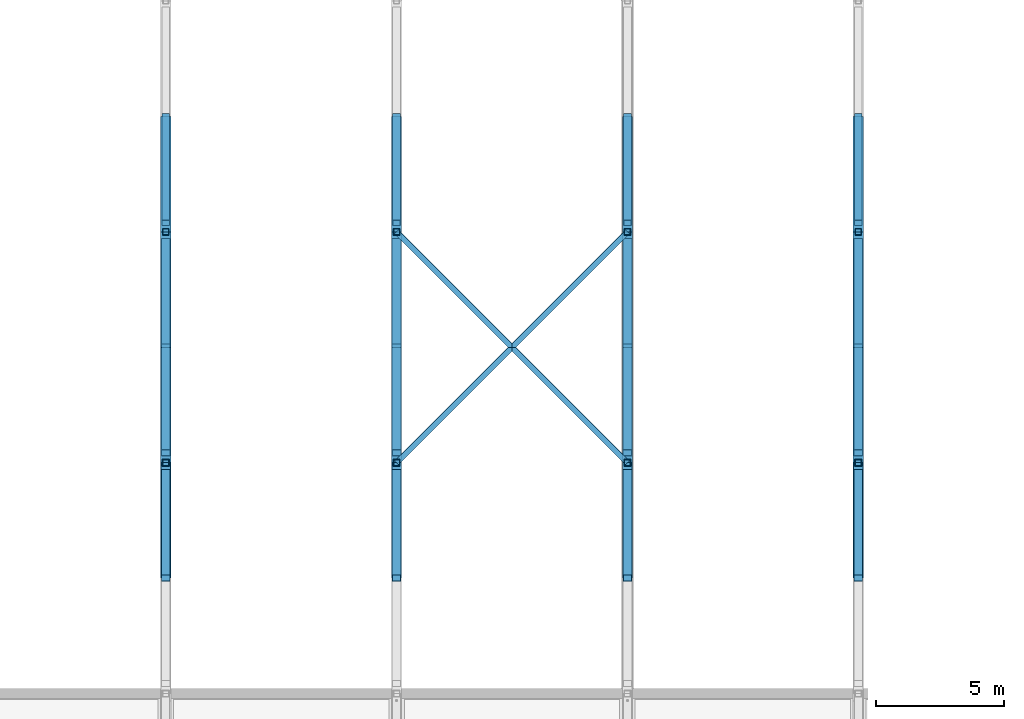
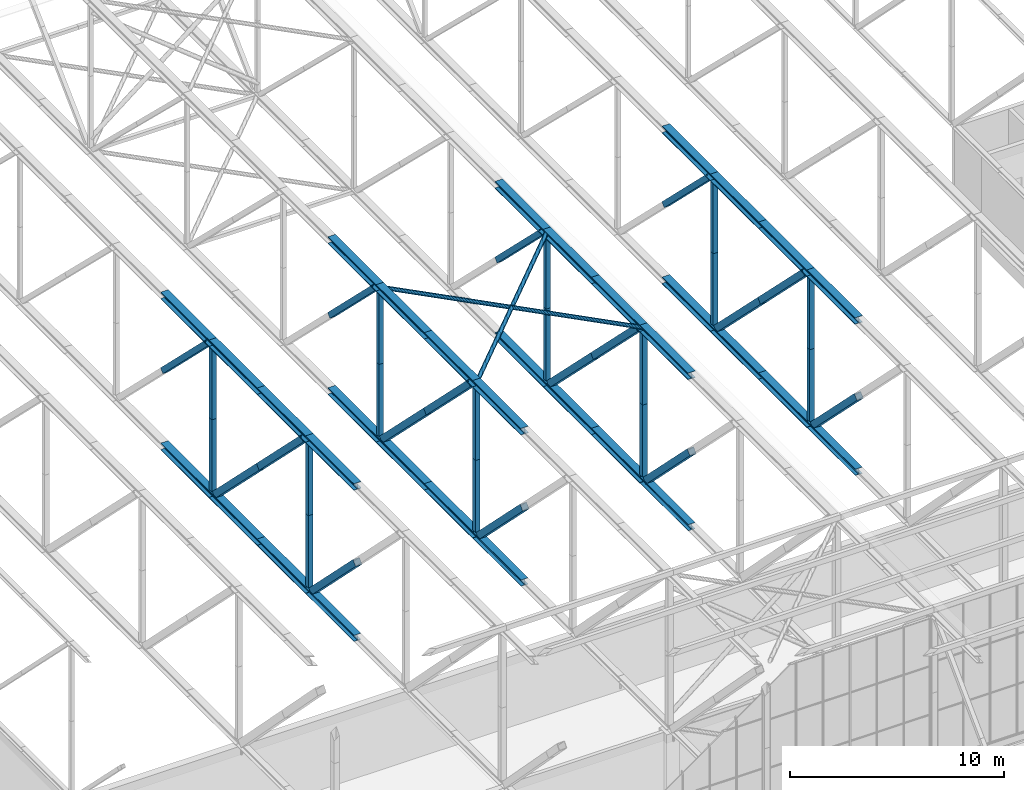
# One storey, part 43 of 646: 68 members.
"""IFC4 building model written with IfcOpenShell, lengths in metres."""

import ifcopenshell
import ifcopenshell.guid

model = None  # the IFC model being written
_history = None  # IfcOwnerHistory: only IFC2X3 demands one
_inside = {}  # id of a spatial element -> (the spatial element, [elements in it])
_under = {}  # id of a project, library or spatial element -> (it, [spatial elements below it])
_declared = {}  # id of a project -> (the project, [libraries it declares])
_typed = {}  # id of a type object -> (the type object, [elements of that type])
_made_of = {}  # id of a material, layer set ... -> (it, [elements and type objects made of it])


def new_model(schema):
    """Start an empty IFC model of exactly this schema.

    Asked for "IFC4X3", IfcOpenShell would pick the latest addendum, in which some entities
    have other attributes; the version numbers below select the first issue.
    IFC2X3 requires an IfcOwnerHistory on every rooted entity: one is made here for all.
    """
    global model, _history
    if schema == "IFC4X3":
        model = ifcopenshell.file(schema_version=(4, 3, 0, 0))
    else:
        model = ifcopenshell.file(schema=schema)
    _inside.clear()
    _under.clear()
    _declared.clear()
    _typed.clear()
    _made_of.clear()
    _history = None
    if model.schema == "IFC2X3":
        org = make("IfcOrganization", Name="unknown")
        user = make(
            "IfcPersonAndOrganization",
            ThePerson=make("IfcPerson", FamilyName="unknown"),
            TheOrganization=org,
        )
        app = make(
            "IfcApplication",
            ApplicationDeveloper=org,
            Version="unknown",
            ApplicationFullName="unknown",
            ApplicationIdentifier="unknown",
        )
        _history = make(
            "IfcOwnerHistory",
            OwningUser=user,
            OwningApplication=app,
            ChangeAction="ADDED",
            CreationDate=0,
        )
    return model


def make(cls, **values):
    """One entity of the class cls with the attributes given. An attribute that is None is left unset."""
    return model.create_entity(
        cls, **{name: value for name, value in values.items() if value is not None}
    )


def rooted(cls, **values):
    """An entity with a GlobalId (a new one), such as an element, a storey or a relation."""
    return make(cls, GlobalId=ifcopenshell.guid.new(), OwnerHistory=_history, **values)


def si_unit(unit_type, name, prefix=None):
    """IfcSIUnit, for example si_unit("LENGTHUNIT", "METRE", prefix="MILLI")."""
    return make("IfcSIUnit", UnitType=unit_type, Prefix=prefix, Name=name)


def assignment(units):
    """IfcUnitAssignment: the units of a project."""
    return None if units is None else make("IfcUnitAssignment", Units=units)


def point(xyz):
    """IfcCartesianPoint."""
    return None if xyz is None else make("IfcCartesianPoint", Coordinates=xyz)


def direction(xyz):
    """IfcDirection."""
    return None if xyz is None else make("IfcDirection", DirectionRatios=xyz)


def frame(location, z_axis=None, x_axis=None):
    """IfcAxis2Placement3D, a coordinate frame: its origin and axes. An axis left out is left unset."""
    return make(
        "IfcAxis2Placement3D",
        Location=point(location),
        Axis=direction(z_axis),
        RefDirection=direction(x_axis),
    )


def frame_2d(location, x_axis=None):
    """IfcAxis2Placement2D, a coordinate frame in the plane: its origin and x axis."""
    return make(
        "IfcAxis2Placement2D", Location=point(location), RefDirection=direction(x_axis)
    )


def origin():
    """The frame at (0, 0, 0) with its axes left unset."""
    return frame((0.0, 0.0, 0.0))


def origin_2d():
    """The frame at (0, 0) in the plane with its x axis left unset."""
    return frame_2d((0.0, 0.0))


def place(relative_to, where):
    """IfcLocalPlacement: puts the frame where relative to a parent placement (None: the world)."""
    return make(
        "IfcLocalPlacement", PlacementRelTo=relative_to, RelativePlacement=where
    )


def context(
    kind, dimensions, precision=None, world=None, true_north=None, identifier=None
):
    """IfcGeometricRepresentationContext, for example the 3D "Model" context."""
    return make(
        "IfcGeometricRepresentationContext",
        ContextIdentifier=identifier,
        ContextType=kind,
        CoordinateSpaceDimension=dimensions,
        Precision=precision,
        WorldCoordinateSystem=world,
        TrueNorth=true_north,
    )


def subcontext(parent, identifier, kind, view, scale=None):
    """IfcGeometricRepresentationSubContext, for example "Body" below "Model"."""
    return make(
        "IfcGeometricRepresentationSubContext",
        ContextIdentifier=identifier,
        ContextType=kind,
        ParentContext=parent,
        TargetScale=scale,
        TargetView=view,
    )


def project(units=None, contexts=None):
    """IfcProject with its units and contexts."""
    return rooted(
        "IfcProject",
        Name="project",
        RepresentationContexts=contexts,
        UnitsInContext=assignment(units),
    )


def spatial(cls, under=None, at=None, **own):
    """A site, building, storey or space (cls), placed at a placement, below another one or the project."""
    s = rooted(cls, ObjectPlacement=at, **own)
    if under is not None:
        _under.setdefault(under.id(), (under, []))[1].append(s)
    return s


def profile(cls, at=None, kind="AREA", **sizes):
    """A parametric profile (cls). Its sizes go by their IFC names, for example OverallWidth=200.0."""
    return make(cls, ProfileType=kind, Position=at, **sizes)


def hollow_rectangle(**sizes):
    """IfcRectangleHollowProfileDef."""
    return profile("IfcRectangleHollowProfileDef", **sizes)


def hollow_circle(**sizes):
    """IfcCircleHollowProfileDef."""
    return profile("IfcCircleHollowProfileDef", **sizes)


def i_section(**sizes):
    """IfcIShapeProfileDef."""
    return profile("IfcIShapeProfileDef", **sizes)


def extrude(swept, where, along, depth):
    """IfcExtrudedAreaSolid: the profile swept, set in the frame where, extruded along a direction by depth."""
    return make(
        "IfcExtrudedAreaSolid",
        SweptArea=swept,
        Position=where,
        ExtrudedDirection=direction(along),
        Depth=depth,
    )


def shape(context_of_items, identifier, shape_type, items):
    """IfcShapeRepresentation: the items that make up one representation, for example the "Body"."""
    return make(
        "IfcShapeRepresentation",
        ContextOfItems=context_of_items,
        RepresentationIdentifier=identifier,
        RepresentationType=shape_type,
        Items=items,
    )


def material(Name=None, Category=None):
    """IfcMaterial."""
    return make("IfcMaterial", Name=Name, Category=Category)


def material_profile(
    of_material, cross_section, Name=None, Category=None, Priority=None
):
    """IfcMaterialProfile: a cross section and its material."""
    return make(
        "IfcMaterialProfile",
        Name=Name,
        Material=of_material,
        Profile=cross_section,
        Priority=Priority,
        Category=Category,
    )


def profile_set(profiles, Name=None, composite=None):
    """IfcMaterialProfileSet."""
    return make(
        "IfcMaterialProfileSet",
        Name=Name,
        MaterialProfiles=profiles,
        CompositeProfile=composite,
    )


def made_of(thing, what):
    """Note that an element or type object is made of a material, layer set ...; save() writes the relation."""
    if what is not None:
        _made_of.setdefault(what.id(), (what, []))[1].append(thing)
    return thing


def type_object(cls, material=None, **own):
    """A type object (cls), such as IfcWallType, which elements share."""
    return made_of(rooted(cls, **own), material)


def element(
    cls,
    number,
    at=None,
    inside=None,
    cuts=None,
    type_object=None,
    material=None,
    context=None,
    identifier="Body",
    shape_type=None,
    held_by="IfcProductDefinitionShape",
    body=None,
    shapes=None,
    **own,
):
    """One element of the class cls, such as IfcWall. Its Tag is "e" and its number.

    at: its placement. inside: the storey or other place that contains it. cuts: it is an
    opening in that element (IfcRelVoidsElement). A single representation is given by context,
    identifier, shape_type and body (its items); several are given by shapes. held_by: the class
    of the entity that holds the representations. save() writes the other relations.
    """
    e = rooted(cls, Tag="e%d" % number, ObjectPlacement=at, **own)
    if body is not None:
        shapes = [shape(context, identifier, shape_type, body)]
    if shapes is not None:
        e.Representation = make(held_by, Representations=shapes)
    if inside is not None:
        _inside.setdefault(inside.id(), (inside, []))[1].append(e)
    if cuts is not None:
        rooted(
            "IfcRelVoidsElement", RelatingBuildingElement=cuts, RelatedOpeningElement=e
        )
    if type_object is not None:
        _typed.setdefault(type_object.id(), (type_object, []))[1].append(e)
    return made_of(e, material)


def aggregate(whole, parts):
    """IfcRelAggregates: a whole, such as a stair, and the parts it consists of."""
    return rooted("IfcRelAggregates", RelatingObject=whole, RelatedObjects=parts)


def save(model, path):
    """Write the relations noted so far, then the file.

    IfcRelAggregates (storeys below a building ...), IfcRelContainedInSpatialStructure (elements
    in a storey), IfcRelDefinesByType, IfcRelAssociatesMaterial and IfcRelDeclares: one each for
    every whole, place, type object, material and project.
    """
    for whole, parts in _under.values():
        aggregate(whole, parts)
    for where, things in _inside.values():
        rooted(
            "IfcRelContainedInSpatialStructure",
            RelatedElements=things,
            RelatingStructure=where,
        )
    for kind, things in _typed.values():
        rooted("IfcRelDefinesByType", RelatedObjects=things, RelatingType=kind)
    for what, things in _made_of.values():
        rooted("IfcRelAssociatesMaterial", RelatedObjects=things, RelatingMaterial=what)
    for by, libraries in _declared.values():
        rooted("IfcRelDeclares", RelatingContext=by, RelatedDefinitions=libraries)
    model.write(path)


model = new_model("IFC4")

# Units and contexts
model_context = context("Model", 3, precision=1e-05, world=origin(), true_north=direction((0.0, 1.0)))
body_context = subcontext(model_context, "Body", "Model", "MODEL_VIEW")
ifc_project = project(units=[si_unit("LENGTHUNIT", "METRE"), si_unit("AREAUNIT", "SQUARE_METRE"), si_unit("VOLUMEUNIT", "CUBIC_METRE"), si_unit("PLANEANGLEUNIT", "RADIAN"), si_unit("MASSUNIT", "GRAM", prefix="KILO")], contexts=[model_context])

# Site, building, storey
site_placement = place(None, origin())
site = spatial("IfcSite", under=ifc_project, at=site_placement, CompositionType="ELEMENT")
building_placement = place(site_placement, origin())
building = spatial("IfcBuilding", under=site, at=building_placement, Name="Silverbay Arena", CompositionType="ELEMENT")
storey_placement = place(building_placement, frame((0.0, 0.0, 33.5)))
storey = spatial("IfcBuildingStorey", under=building, at=storey_placement, Name="L05", CompositionType="ELEMENT", Elevation=33.5)

# Members
ifc_material_1 = material(Name="Steel S355", Category="steel")
ifc_material_profile_1 = material_profile(ifc_material_1, i_section(OverallWidth=0.37255859375, OverallDepth=0.3681640625, WebThickness=0.014404296875, FlangeThickness=0.023681640625, at=origin_2d()), Name="UC 356x368x177")
ifc_profile_set_1 = profile_set([ifc_material_profile_1], Name="Steel S355")
member_type_1 = type_object("IfcMemberType", Name="Main-span bottom chord UC 356x368x177", PredefinedType="CHORD", material=ifc_profile_set_1)
for number, where, z_axis, x_axis, name in (
    (1, (117.0, 40.5, 4.18408203125), (0.0, 1.0, 0.0), (-1.0, 0.0, 0.0), "ROOF TRUSS 14 bottom chord 04b"),
    (2, (126.0, 40.5, 4.18408203125), (0.0, 1.0, 0.0), (-1.0, 0.0, 0.0), "ROOF TRUSS 15 bottom chord 04b"),
    (3, (135.0, 40.5, 4.18408203125), (0.0, 1.0, 0.0), (-1.0, 0.0, 0.0), "ROOF TRUSS 16 bottom chord 04b"),
    (4, (144.0, 40.5, 4.18408203125), (0.0, 1.0, 0.0), (-1.0, 0.0, 0.0), "ROOF TRUSS 17 bottom chord 04b"),
):
    element("IfcMember", number, at=place(storey_placement, frame(where, z_axis=z_axis, x_axis=x_axis)), inside=storey, type_object=member_type_1, Name=name, PredefinedType="CHORD", context=body_context, shape_type="SweptSolid", body=[
        extrude(i_section(OverallWidth=0.37255859375, OverallDepth=0.3681640625, WebThickness=0.014404296875, FlangeThickness=0.023681640625, at=origin_2d()), origin(), (0.0, 0.0, 1.0), 4.5),
    ])
ifc_material_2 = material(Name="Steel S355", Category="steel")
ifc_material_profile_2 = material_profile(ifc_material_2, i_section(OverallWidth=0.403076171875, OverallDepth=0.406494140625, WebThickness=0.026611328125, FlangeThickness=0.04296875, at=origin_2d()), Name="UC 356x406x340")
ifc_profile_set_2 = profile_set([ifc_material_profile_2], Name="Steel S355")
member_type_2 = type_object("IfcMemberType", Name="Main-span bottom chord UC 356x406x340", PredefinedType="CHORD", material=ifc_profile_set_2)
for number, where, z_axis, x_axis, name in (
    (5, (117.0, 45.0, 4.203125), (0.0, 1.0, 0.0), (-1.0, 0.0, 0.0), "ROOF TRUSS 14 bottom chord 05a"),
    (6, (117.0, 49.5, 4.203125), (0.0, 1.0, 0.0), (-1.0, 0.0, 0.0), "ROOF TRUSS 14 bottom chord 05b"),
    (7, (117.0, 54.0, 4.203125), (0.0, 1.0, 0.0), (-1.0, 0.0, 0.0), "ROOF TRUSS 14 bottom chord 06a"),
    (8, (126.0, 45.0, 4.203125), (0.0, 1.0, 0.0), (-1.0, 0.0, 0.0), "ROOF TRUSS 15 bottom chord 05a"),
    (9, (126.0, 49.5, 4.203125), (0.0, 1.0, 0.0), (-1.0, 0.0, 0.0), "ROOF TRUSS 15 bottom chord 05b"),
    (10, (126.0, 54.0, 4.203125), (0.0, 1.0, 0.0), (-1.0, 0.0, 0.0), "ROOF TRUSS 15 bottom chord 06a"),
    (11, (135.0, 45.0, 4.203125), (0.0, 1.0, 0.0), (-1.0, 0.0, 0.0), "ROOF TRUSS 16 bottom chord 05a"),
    (12, (135.0, 49.5, 4.203125), (0.0, 1.0, 0.0), (-1.0, 0.0, 0.0), "ROOF TRUSS 16 bottom chord 05b"),
    (13, (135.0, 54.0, 4.203125), (0.0, 1.0, 0.0), (-1.0, 0.0, 0.0), "ROOF TRUSS 16 bottom chord 06a"),
    (14, (144.0, 45.0, 4.203125), (0.0, 1.0, 0.0), (-1.0, 0.0, 0.0), "ROOF TRUSS 17 bottom chord 05a"),
    (15, (144.0, 49.5, 4.203125), (0.0, 1.0, 0.0), (-1.0, 0.0, 0.0), "ROOF TRUSS 17 bottom chord 05b"),
    (16, (144.0, 54.0, 4.203125), (0.0, 1.0, 0.0), (-1.0, 0.0, 0.0), "ROOF TRUSS 17 bottom chord 06a"),
):
    element("IfcMember", number, at=place(storey_placement, frame(where, z_axis=z_axis, x_axis=x_axis)), inside=storey, type_object=member_type_2, Name=name, PredefinedType="CHORD", context=body_context, shape_type="SweptSolid", body=[
        extrude(i_section(OverallWidth=0.403076171875, OverallDepth=0.406494140625, WebThickness=0.026611328125, FlangeThickness=0.04296875, at=origin_2d()), origin(), (0.0, 0.0, 1.0), 4.5),
    ])
ifc_material_3 = material(Name="Steel S355", Category="steel")
ifc_material_profile_3 = material_profile(ifc_material_3, i_section(OverallWidth=0.39892578125, OverallDepth=0.3935546875, WebThickness=0.022705078125, FlangeThickness=0.03662109375, at=origin_2d()), Name="UC 356x406x287")
ifc_profile_set_3 = profile_set([ifc_material_profile_3], Name="Steel S355")
member_type_3 = type_object("IfcMemberType", Name="Main-span top chord UC 356x406x287", PredefinedType="CHORD", material=ifc_profile_set_3)
for number, where, z_axis, x_axis, name in (
    (17, (117.0, 40.5, 12.80322265625), (0.0, 1.0, 0.0), (-1.0, 0.0, 0.0), "ROOF TRUSS 14 top chord 04b"),
    (18, (126.0, 40.5, 12.80322265625), (0.0, 1.0, 0.0), (-1.0, 0.0, 0.0), "ROOF TRUSS 15 top chord 04b"),
    (19, (135.0, 40.5, 12.80322265625), (0.0, 1.0, 0.0), (-1.0, 0.0, 0.0), "ROOF TRUSS 16 top chord 04b"),
    (20, (144.0, 40.5, 12.80322265625), (0.0, 1.0, 0.0), (-1.0, 0.0, 0.0), "ROOF TRUSS 17 top chord 04b"),
):
    element("IfcMember", number, at=place(storey_placement, frame(where, z_axis=z_axis, x_axis=x_axis)), inside=storey, type_object=member_type_3, Name=name, PredefinedType="CHORD", context=body_context, shape_type="SweptSolid", body=[
        extrude(i_section(OverallWidth=0.39892578125, OverallDepth=0.3935546875, WebThickness=0.022705078125, FlangeThickness=0.03662109375, at=origin_2d()), origin(), (0.0, 0.0, 1.0), 4.5),
    ])
ifc_material_4 = material(Name="Steel S355", Category="steel")
ifc_material_profile_4 = material_profile(ifc_material_4, i_section(OverallWidth=0.403076171875, OverallDepth=0.406494140625, WebThickness=0.026611328125, FlangeThickness=0.04296875, at=origin_2d()), Name="UC 356x406x340")
ifc_profile_set_4 = profile_set([ifc_material_profile_4], Name="Steel S355")
member_type_4 = type_object("IfcMemberType", Name="Main-span top chord UC 356x406x340", PredefinedType="CHORD", material=ifc_profile_set_4)
for number, where, z_axis, x_axis, name in (
    (21, (117.0, 45.0, 12.796875), (0.0, 1.0, 0.0), (-1.0, 0.0, 0.0), "ROOF TRUSS 14 top chord 05a"),
    (22, (117.0, 49.5, 12.796875), (0.0, 1.0, 0.0), (-1.0, 0.0, 0.0), "ROOF TRUSS 14 top chord 05b"),
    (23, (117.0, 54.0, 12.796875), (0.0, 1.0, 0.0), (-1.0, 0.0, 0.0), "ROOF TRUSS 14 top chord 06a"),
    (24, (126.0, 45.0, 12.796875), (0.0, 1.0, 0.0), (-1.0, 0.0, 0.0), "ROOF TRUSS 15 top chord 05a"),
    (25, (126.0, 49.5, 12.796875), (0.0, 1.0, 0.0), (-1.0, 0.0, 0.0), "ROOF TRUSS 15 top chord 05b"),
    (26, (126.0, 54.0, 12.796875), (0.0, 1.0, 0.0), (-1.0, 0.0, 0.0), "ROOF TRUSS 15 top chord 06a"),
    (27, (135.0, 45.0, 12.796875), (0.0, 1.0, 0.0), (-1.0, 0.0, 0.0), "ROOF TRUSS 16 top chord 05a"),
    (28, (135.0, 49.5, 12.796875), (0.0, 1.0, 0.0), (-1.0, 0.0, 0.0), "ROOF TRUSS 16 top chord 05b"),
    (29, (135.0, 54.0, 12.796875), (0.0, 1.0, 0.0), (-1.0, 0.0, 0.0), "ROOF TRUSS 16 top chord 06a"),
    (30, (144.0, 45.0, 12.796875), (0.0, 1.0, 0.0), (-1.0, 0.0, 0.0), "ROOF TRUSS 17 top chord 05a"),
    (31, (144.0, 49.5, 12.796875), (0.0, 1.0, 0.0), (-1.0, 0.0, 0.0), "ROOF TRUSS 17 top chord 05b"),
    (32, (144.0, 54.0, 12.796875), (0.0, 1.0, 0.0), (-1.0, 0.0, 0.0), "ROOF TRUSS 17 top chord 06a"),
):
    element("IfcMember", number, at=place(storey_placement, frame(where, z_axis=z_axis, x_axis=x_axis)), inside=storey, type_object=member_type_4, Name=name, PredefinedType="CHORD", context=body_context, shape_type="SweptSolid", body=[
        extrude(i_section(OverallWidth=0.403076171875, OverallDepth=0.406494140625, WebThickness=0.026611328125, FlangeThickness=0.04296875, at=origin_2d()), origin(), (0.0, 0.0, 1.0), 4.5),
    ])
ifc_material_5 = material(Name="Steel S355", Category="steel")
ifc_material_profile_5 = material_profile(ifc_material_5, hollow_rectangle(XDim=0.300048828125, YDim=0.300048828125, WallThickness=0.012451171875, at=origin_2d()), Name="SHS 300x300x12.5")
ifc_profile_set_5 = profile_set([ifc_material_profile_5], Name="Steel S355")
member_type_5 = type_object("IfcMemberType", Name="Main-span truss diagonal SHS 300x300x12.5", PredefinedType="BRACE", material=ifc_profile_set_5)
for number, where, z_axis, x_axis, name in (
    (33, (117.0, 54.347900390625, 12.593505859375), (0.0, 0.712752446816, -0.701415675301), (-1.0, 0.0, 0.0), "ROOF TRUSS 14 diagonal 06a"),
    (34, (126.0, 54.347900390625, 12.593505859375), (0.0, 0.712752446816, -0.701415675301), (-1.0, 0.0, 0.0), "ROOF TRUSS 15 diagonal 06a"),
    (35, (135.0, 54.347900390625, 12.593505859375), (0.0, 0.712752446816, -0.701415675301), (-1.0, 0.0, 0.0), "ROOF TRUSS 16 diagonal 06a"),
    (36, (144.0, 54.347900390625, 12.593505859375), (0.0, 0.712752446816, -0.701415675301), (-1.0, 0.0, 0.0), "ROOF TRUSS 17 diagonal 06a"),
):
    element("IfcMember", number, at=place(storey_placement, frame(where, z_axis=z_axis, x_axis=x_axis)), inside=storey, type_object=member_type_5, Name=name, PredefinedType="BRACE", context=body_context, shape_type="SweptSolid", body=[
        extrude(hollow_rectangle(XDim=0.300048828125, YDim=0.300048828125, WallThickness=0.012451171875, at=origin_2d()), origin(), (0.0, 0.0, 1.0), 5.836181640625),
    ])
ifc_material_6 = material(Name="Steel S355", Category="steel")
ifc_material_profile_6 = material_profile(ifc_material_6, hollow_rectangle(XDim=0.35009765625, YDim=0.35009765625, WallThickness=0.012451171875, at=origin_2d()), Name="SHS 350x350x12.5")
ifc_profile_set_6 = profile_set([ifc_material_profile_6], Name="Steel S355")
member_type_6 = type_object("IfcMemberType", Name="Main-span truss diagonal SHS 350x350x12.5", PredefinedType="BRACE", material=ifc_profile_set_6)
for number, where, z_axis, x_axis, name in (
    (37, (117.0, 45.39013671875, 12.593505859375), (0.0, 0.708724844097, -0.705485007182), (-1.0, 0.0, 0.0), "ROOF TRUSS 14 diagonal 05a"),
    (38, (117.0, 49.50244140625, 8.5), (0.0, 0.708745784671, -0.705463969818), (-1.0, 0.0, 0.0), "ROOF TRUSS 14 diagonal 05b"),
    (39, (126.0, 45.39013671875, 12.593505859375), (0.0, 0.708724844097, -0.705485007182), (-1.0, 0.0, 0.0), "ROOF TRUSS 15 diagonal 05a"),
    (40, (126.0, 49.50244140625, 8.5), (0.0, 0.708745784671, -0.705463969818), (-1.0, 0.0, 0.0), "ROOF TRUSS 15 diagonal 05b"),
    (41, (135.0, 45.39013671875, 12.593505859375), (0.0, 0.708724844097, -0.705485007182), (-1.0, 0.0, 0.0), "ROOF TRUSS 16 diagonal 05a"),
    (42, (135.0, 49.50244140625, 8.5), (0.0, 0.708745784671, -0.705463969818), (-1.0, 0.0, 0.0), "ROOF TRUSS 16 diagonal 05b"),
    (43, (144.0, 45.39013671875, 12.593505859375), (0.0, 0.708724844097, -0.705485007182), (-1.0, 0.0, 0.0), "ROOF TRUSS 17 diagonal 05a"),
    (44, (144.0, 49.50244140625, 8.5), (0.0, 0.708745784671, -0.705463969818), (-1.0, 0.0, 0.0), "ROOF TRUSS 17 diagonal 05b"),
):
    element("IfcMember", number, at=place(storey_placement, frame(where, z_axis=z_axis, x_axis=x_axis)), inside=storey, type_object=member_type_6, Name=name, PredefinedType="BRACE", context=body_context, shape_type="SweptSolid", body=[
        extrude(hollow_rectangle(XDim=0.35009765625, YDim=0.35009765625, WallThickness=0.012451171875, at=origin_2d()), origin(), (0.0, 0.0, 1.0), 5.802490234375),
    ])
ifc_material_7 = material(Name="Steel S355", Category="steel")
ifc_material_profile_7 = material_profile(ifc_material_7, hollow_rectangle(XDim=0.35009765625, YDim=0.35009765625, WallThickness=0.01416015625, at=origin_2d()), Name="SHS 350x350x14.2")
ifc_profile_set_7 = profile_set([ifc_material_profile_7], Name="Steel S355")
member_type_7 = type_object("IfcMemberType", Name="Main-span truss diagonal SHS 350x350x14.2", PredefinedType="BRACE", material=ifc_profile_set_7)
for number, where, z_axis, x_axis, name in (
    (45, (117.0, 40.5, 8.4873046875), (0.0, 0.706393232016, -0.707819611033), (-1.0, 0.0, 0.0), "ROOF TRUSS 14 diagonal 04b"),
    (46, (126.0, 40.5, 8.4873046875), (0.0, 0.706393232016, -0.707819611033), (-1.0, 0.0, 0.0), "ROOF TRUSS 15 diagonal 04b"),
    (47, (135.0, 40.5, 8.4873046875), (0.0, 0.706393232016, -0.707819611033), (-1.0, 0.0, 0.0), "ROOF TRUSS 16 diagonal 04b"),
    (48, (144.0, 40.5, 8.4873046875), (0.0, 0.706393232016, -0.707819611033), (-1.0, 0.0, 0.0), "ROOF TRUSS 17 diagonal 04b"),
):
    element("IfcMember", number, at=place(storey_placement, frame(where, z_axis=z_axis, x_axis=x_axis)), inside=storey, type_object=member_type_7, Name=name, PredefinedType="BRACE", context=body_context, shape_type="SweptSolid", body=[
        extrude(hollow_rectangle(XDim=0.35009765625, YDim=0.35009765625, WallThickness=0.01416015625, at=origin_2d()), origin(), (0.0, 0.0, 1.0), 5.819580078125),
    ])
ifc_material_8 = material(Name="Steel S355", Category="steel")
ifc_material_profile_8 = material_profile(ifc_material_8, hollow_rectangle(XDim=0.25, YDim=0.25, WallThickness=0.010009765625, at=origin_2d()), Name="SHS 250x250x10")
ifc_profile_set_8 = profile_set([ifc_material_profile_8], Name="Steel S355")
member_type_8 = type_object("IfcMemberType", Name="Main-span truss vertical SHS 250x250x10", PredefinedType="STRUT", material=ifc_profile_set_8)
for number, where, z_axis, x_axis, name in (
    (49, (117.0, 54.0, 4.406494140625), (0.0, 0.0, 1.0), (1.0, 0.0, 0.0), "ROOF TRUSS 14 vertical 06a"),
    (50, (117.0, 54.0, 8.5), (0.0, 0.0, 1.0), (1.0, 0.0, 0.0), "ROOF TRUSS 14 vertical 06b"),
    (51, (126.0, 54.0, 4.406494140625), (0.0, 0.0, 1.0), (1.0, 0.0, 0.0), "ROOF TRUSS 15 vertical 06a"),
    (52, (126.0, 54.0, 8.5), (0.0, 0.0, 1.0), (1.0, 0.0, 0.0), "ROOF TRUSS 15 vertical 06b"),
    (53, (135.0, 54.0, 4.406494140625), (0.0, 0.0, 1.0), (1.0, 0.0, 0.0), "ROOF TRUSS 16 vertical 06a"),
    (54, (135.0, 54.0, 8.5), (0.0, 0.0, 1.0), (1.0, 0.0, 0.0), "ROOF TRUSS 16 vertical 06b"),
    (55, (144.0, 54.0, 4.406494140625), (0.0, 0.0, 1.0), (1.0, 0.0, 0.0), "ROOF TRUSS 17 vertical 06a"),
    (56, (144.0, 54.0, 8.5), (0.0, 0.0, 1.0), (1.0, 0.0, 0.0), "ROOF TRUSS 17 vertical 06b"),
):
    element("IfcMember", number, at=place(storey_placement, frame(where, z_axis=z_axis, x_axis=x_axis)), inside=storey, type_object=member_type_8, Name=name, PredefinedType="STRUT", context=body_context, shape_type="SweptSolid", body=[
        extrude(hollow_rectangle(XDim=0.25, YDim=0.25, WallThickness=0.010009765625, at=origin_2d()), origin(), (0.0, 0.0, 1.0), 4.093505859375),
    ])
ifc_material_9 = material(Name="Steel S355", Category="steel")
ifc_material_profile_9 = material_profile(ifc_material_9, hollow_rectangle(XDim=0.260009765625, YDim=0.260009765625, WallThickness=0.010009765625, at=origin_2d()), Name="SHS 260x260x10")
ifc_profile_set_9 = profile_set([ifc_material_profile_9], Name="Steel S355")
member_type_9 = type_object("IfcMemberType", Name="Main-span truss vertical SHS 260x260x10", PredefinedType="STRUT", material=ifc_profile_set_9)
for number, where, z_axis, x_axis, name in (
    (57, (117.0, 45.0, 4.406494140625), (0.0, 0.0, 1.0), (1.0, 0.0, 0.0), "ROOF TRUSS 14 vertical 05a"),
    (58, (117.0, 45.0, 8.5), (0.0, 0.0, 1.0), (1.0, 0.0, 0.0), "ROOF TRUSS 14 vertical 05b"),
    (59, (126.0, 45.0, 4.406494140625), (0.0, 0.0, 1.0), (1.0, 0.0, 0.0), "ROOF TRUSS 15 vertical 05a"),
    (60, (126.0, 45.0, 8.5), (0.0, 0.0, 1.0), (1.0, 0.0, 0.0), "ROOF TRUSS 15 vertical 05b"),
    (61, (135.0, 45.0, 4.406494140625), (0.0, 0.0, 1.0), (1.0, 0.0, 0.0), "ROOF TRUSS 16 vertical 05a"),
    (62, (135.0, 45.0, 8.5), (0.0, 0.0, 1.0), (1.0, 0.0, 0.0), "ROOF TRUSS 16 vertical 05b"),
    (63, (144.0, 45.0, 4.406494140625), (0.0, 0.0, 1.0), (1.0, 0.0, 0.0), "ROOF TRUSS 17 vertical 05a"),
    (64, (144.0, 45.0, 8.5), (0.0, 0.0, 1.0), (1.0, 0.0, 0.0), "ROOF TRUSS 17 vertical 05b"),
):
    element("IfcMember", number, at=place(storey_placement, frame(where, z_axis=z_axis, x_axis=x_axis)), inside=storey, type_object=member_type_9, Name=name, PredefinedType="STRUT", context=body_context, shape_type="SweptSolid", body=[
        extrude(hollow_rectangle(XDim=0.260009765625, YDim=0.260009765625, WallThickness=0.010009765625, at=origin_2d()), origin(), (0.0, 0.0, 1.0), 4.093505859375),
    ])
ifc_material_10 = material(Name="Steel S355", Category="steel")
ifc_material_profile_10 = material_profile(ifc_material_10, hollow_circle(Radius=0.109619140625, WallThickness=0.00634765625, at=origin_2d()), Name="CHS 219.1x6.3")
ifc_profile_set_10 = profile_set([ifc_material_profile_10], Name="Steel S355")
member_type_10 = type_object("IfcMemberType", Name="Plan bracing CHS 219.1x6.3", PredefinedType="BRACE", material=ifc_profile_set_10)
for number, where, z_axis, x_axis, name in (
    (65, (126.0, 45.0, 12.796875), (0.707106781187, 0.707106781187, 0.0), (-0.707106781187, 0.707106781187, 0.0), "ROOF BRACING top 15-16 panel 05 Aa"),
    (66, (130.5, 49.5, 12.796875), (0.707106781187, 0.707106781187, 0.0), (-0.707106781187, 0.707106781187, 0.0), "ROOF BRACING top 15-16 panel 05 Ab"),
    (67, (126.0, 54.0, 12.796875), (0.707106781187, -0.707106781187, 0.0), (0.707106781187, 0.707106781187, 0.0), "ROOF BRACING top 15-16 panel 05 Ba"),
    (68, (130.5, 49.5, 12.796875), (0.707106781187, -0.707106781187, 0.0), (0.707106781187, 0.707106781187, 0.0), "ROOF BRACING top 15-16 panel 05 Bb"),
):
    element("IfcMember", number, at=place(storey_placement, frame(where, z_axis=z_axis, x_axis=x_axis)), inside=storey, type_object=member_type_10, Name=name, PredefinedType="BRACE", context=body_context, shape_type="SweptSolid", body=[
        extrude(hollow_circle(Radius=0.109619140625, WallThickness=0.00634765625, at=origin_2d()), origin(), (0.0, 0.0, 1.0), 6.364013671875),
    ])

save(model, "model.ifc")
